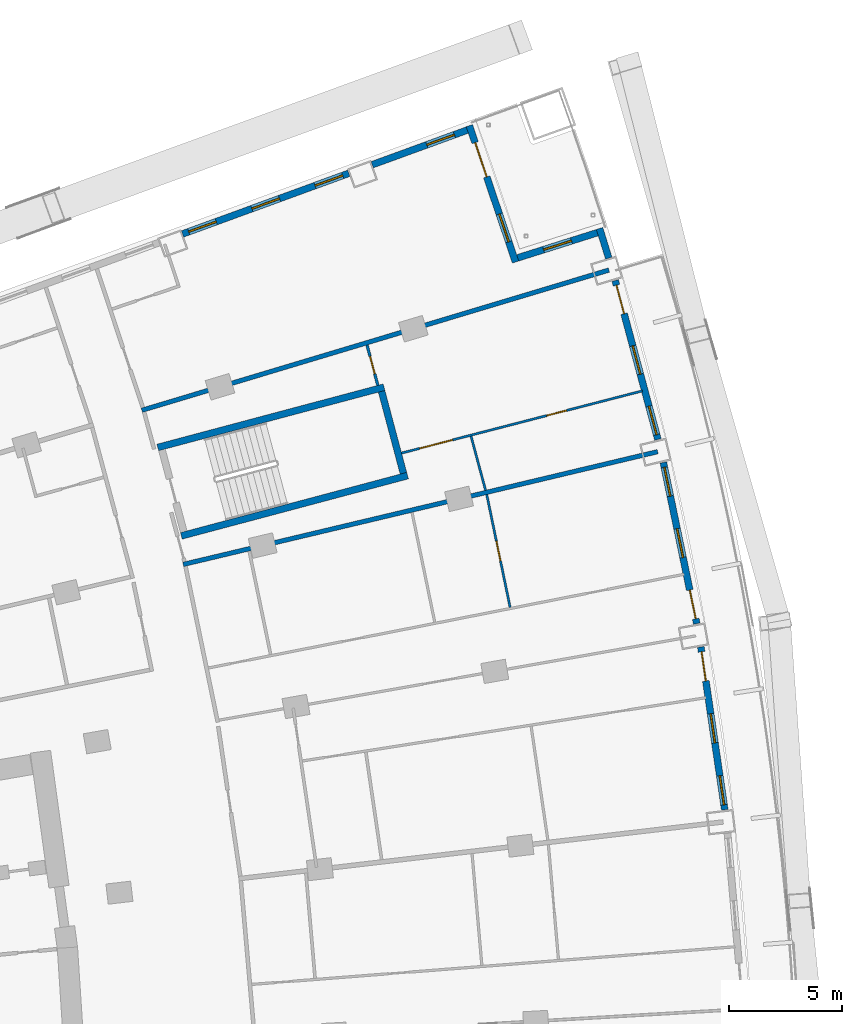
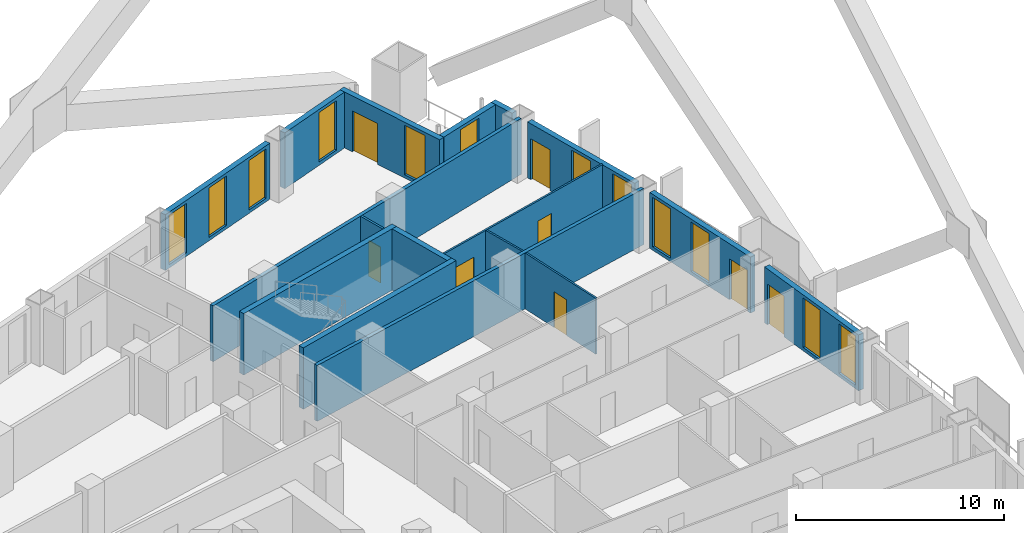
# One storey, part 19 of 23: 17 walls, 12 windows, 8 doors, 20 openings.
"""IFC4 building model written with IfcOpenShell, lengths in metres."""

from ifc_helpers import new_model, si_unit, direction, frame, frame_2d, origin, place, context, subcontext, project, spatial, rectangle, extrude, material, layer, layer_set, type_object, element, fill, save


model = new_model("IFC4")

# Units and contexts
model_context = context("Model", 3, precision=1e-05, world=origin(), true_north=direction((0.0, 1.0)))
body_context = subcontext(model_context, "Body", "Model", "MODEL_VIEW")
ifc_project = project(units=[si_unit("LENGTHUNIT", "METRE"), si_unit("AREAUNIT", "SQUARE_METRE"), si_unit("VOLUMEUNIT", "CUBIC_METRE"), si_unit("PLANEANGLEUNIT", "RADIAN"), si_unit("MASSUNIT", "GRAM", prefix="KILO")], contexts=[model_context])

# Site, building, storey
site_placement = place(None, origin())
site = spatial("IfcSite", under=ifc_project, at=site_placement, CompositionType="ELEMENT")
building_placement = place(site_placement, origin())
building = spatial("IfcBuilding", under=site, at=building_placement, Name="Alderwake Tower", CompositionType="ELEMENT")
storey_placement = place(building_placement, frame((0.0, 0.0, 53.60009765625)))
storey = spatial("IfcBuildingStorey", under=building, at=storey_placement, Name="L12", CompositionType="ELEMENT", Elevation=53.60009765625)

# Walls
ifc_material_1 = material(Name="Concrete C70/85", Category="concrete")
ifc_layer_1 = layer(ifc_material_1, 0.300048828125)
ifc_layer_set_1 = layer_set([ifc_layer_1], Name="Core wall stair enclosure 300 C70-85")
wall_type_1 = type_object("IfcWallType", Name="Core wall stair enclosure 300 C70-85", PredefinedType="SHEAR", material=ifc_layer_set_1)
for number, where, z_axis, x_axis, name in (
    (1, (36.71142578125, 94.182373046875, 0.0), (0.0, 0.0, 1.0), (0.966309214305, 0.257383958996, 0.0), "Core wall CW.082"),
    (2, (37.75390625, 90.268798828125, 0.0), (0.0, 0.0, 1.0), (0.966309214305, 0.257383958996, 0.0), "Core wall CW.084"),
):
    element("IfcWall", number, at=place(storey_placement, frame(where, z_axis=z_axis, x_axis=x_axis)), inside=storey, type_object=wall_type_1, Name=name, PredefinedType="SHEAR", context=body_context, shape_type="SweptSolid", body=[
        extrude(rectangle(XDim=10.360107421875, YDim=0.300048828125, at=frame_2d((5.18017578125, 0.0))), origin(), (0.0, 0.0, 1.0), 3.599853515625),
    ])
wall_1_placement = place(storey_placement, frame((47.581298828125, 93.041748046875, 0.0), z_axis=(0.0, 0.0, 1.0), x_axis=(-0.257366821694, 0.966313778796, 0.0)))
element("IfcWall", 3, at=wall_1_placement, inside=storey, type_object=wall_type_1, Name="Core wall CW.081", PredefinedType="SHEAR", context=body_context, shape_type="SweptSolid", body=[
    extrude(rectangle(XDim=3.749755859375, YDim=0.300048828125, at=frame_2d((1.875, 0.0))), origin(), (0.0, 0.0, 1.0), 3.599853515625),
])

# Wall, openings, door, windows
ifc_material_2 = material(Name="Precast concrete C50/60 spandrel panel", Category="concrete")
ifc_layer_2 = layer(ifc_material_2, 0.300048828125)
ifc_layer_set_2 = layer_set([ifc_layer_2], Name="External wall EW1 Precast concrete C50/60 spandrel")
wall_type_2 = type_object("IfcWallType", Name="External wall EW1 Precast concrete C50/60 spandrel", PredefinedType="SOLIDWALL", material=ifc_layer_set_2)
wall_2_placement = place(storey_placement, frame((61.802734375, 78.147216796875, 0.0), z_axis=(0.0, 0.0, 1.0), x_axis=(-0.14532991295, 0.989383250516, 0.0)))
wall_2 = element("IfcWall", 4, at=wall_2_placement, inside=storey, type_object=wall_type_2, Name="External wall 19", PredefinedType="SOLIDWALL", context=body_context, shape_type="SweptSolid", body=[
    extrude(rectangle(XDim=7.282470703125, YDim=0.300048828125, at=frame_2d((3.64111328125, 0.0))), origin(), (0.0, 0.0, 1.0), 3.27978515625),
])
opening_1_placement = place(wall_2_placement, frame((0.218994140625, 0.0, 0.199951171875)))
opening_1 = element("IfcOpeningElement", 5, at=opening_1_placement, cuts=wall_2, Name="Opening W1", PredefinedType="OPENING", context=body_context, shape_type="SweptSolid", body=[
    extrude(rectangle(XDim=1.300048828125, YDim=2.89990234375, at=frame_2d((0.64990234375, 1.449951171875))), frame((0.0, 0.159912109375, 0.0), z_axis=(0.0, -1.0, 0.0), x_axis=(1.0, 0.0, 0.0)), (0.0, 0.0, 1.0), 0.320068359375),
])
opening_2_placement = place(wall_2_placement, frame((2.9912109375, 0.0, 0.199951171875)))
opening_2 = element("IfcOpeningElement", 6, at=opening_2_placement, cuts=wall_2, Name="Opening W1", PredefinedType="OPENING", context=body_context, shape_type="SweptSolid", body=[
    extrude(rectangle(XDim=1.300048828125, YDim=2.89990234375, at=frame_2d((0.64990234375, 1.449951171875))), frame((0.0, 0.159912109375, 0.0), z_axis=(0.0, -1.0, 0.0), x_axis=(1.0, 0.0, 0.0)), (0.0, 0.0, 1.0), 0.320068359375),
])
opening_3_placement = place(wall_2_placement, frame((5.763671875, 0.0, 0.0)))
opening_3 = element("IfcOpeningElement", 7, at=opening_3_placement, cuts=wall_2, Name="Opening D09", PredefinedType="OPENING", context=body_context, shape_type="SweptSolid", body=[
    extrude(rectangle(XDim=1.300048828125, YDim=2.39990234375, at=frame_2d((0.64990234375, 1.199951171875))), frame((0.0, 0.159912109375, 0.0), z_axis=(0.0, -1.0, 0.0), x_axis=(1.0, 0.0, 0.0)), (0.0, 0.0, 1.0), 0.320068359375),
])
ifc_material_3 = material(Name="Bronze tinted glass in aluminium frame", Category="aluminium")
door_type_1 = type_object("IfcDoorType", Name="Balcony door BD sliding", OperationType="SLIDING_TO_LEFT", PredefinedType="DOOR", material=ifc_material_3)
door_1_placement = place(opening_3_placement, origin())
door_1 = element("IfcDoor", 8, at=door_1_placement, inside=storey, type_object=door_type_1, Name="Door D09", OperationType="SLIDING_TO_LEFT", OverallHeight=2.39990234375, OverallWidth=1.300048828125, PredefinedType="DOOR", context=body_context, shape_type="SweptSolid", body=[
    extrude(rectangle(XDim=1.300048828125, YDim=2.39990234375, at=frame_2d((0.64990234375, 1.199951171875))), frame((0.0, 0.02490234375, 0.0), z_axis=(0.0, -1.0, 0.0), x_axis=(1.0, 0.0, 0.0)), (0.0, 0.0, 1.0), 0.050048828125),
])
fill(opening_3, door_1)
ifc_material_4 = material(Name="Bronze tinted glass in aluminium frame", Category="aluminium")
window_type = type_object("IfcWindowType", Name="Window W1 tall fixed and vent", PartitioningType="DOUBLE_PANEL_VERTICAL", PredefinedType="WINDOW", material=ifc_material_4)
window_1_placement = place(opening_1_placement, origin())
window_1 = element("IfcWindow", 9, at=window_1_placement, inside=storey, type_object=window_type, Name="Window W1 tall fixed and vent", OverallHeight=2.89990234375, OverallWidth=1.300048828125, PartitioningType="DOUBLE_PANEL_VERTICAL", PredefinedType="WINDOW", context=body_context, shape_type="SweptSolid", body=[
    extrude(rectangle(XDim=1.300048828125, YDim=2.89990234375, at=frame_2d((0.64990234375, 1.449951171875))), frame((0.0, 0.030029296875, 0.0), z_axis=(0.0, -1.0, 0.0), x_axis=(1.0, 0.0, 0.0)), (0.0, 0.0, 1.0), 0.06005859375),
])
fill(opening_1, window_1)
window_2_placement = place(opening_2_placement, origin())
window_2 = element("IfcWindow", 10, at=window_2_placement, inside=storey, type_object=window_type, Name="Window W1 tall fixed and vent", OverallHeight=2.89990234375, OverallWidth=1.300048828125, PartitioningType="DOUBLE_PANEL_VERTICAL", PredefinedType="WINDOW", context=body_context, shape_type="SweptSolid", body=[
    extrude(rectangle(XDim=1.300048828125, YDim=2.89990234375, at=frame_2d((0.64990234375, 1.449951171875))), frame((0.0, 0.030029296875, 0.0), z_axis=(0.0, -1.0, 0.0), x_axis=(1.0, 0.0, 0.0)), (0.0, 0.0, 1.0), 0.06005859375),
])
fill(opening_2, window_2)

wall_3_placement = place(storey_placement, frame((60.561767578125, 86.385009765625, 0.0), z_axis=(0.0, 0.0, 1.0), x_axis=(-0.202751929138, 0.979230133948, 0.0)))
wall_3 = element("IfcWall", 11, at=wall_3_placement, inside=storey, type_object=wall_type_2, Name="External wall 20", PredefinedType="SOLIDWALL", context=body_context, shape_type="SweptSolid", body=[
    extrude(rectangle(XDim=7.28271484375, YDim=0.300048828125, at=frame_2d((3.641357421875, 0.0))), origin(), (0.0, 0.0, 1.0), 3.27978515625),
])
opening_4_placement = place(wall_3_placement, frame((0.218994140625, 0.0, 0.0)))
opening_4 = element("IfcOpeningElement", 12, at=opening_4_placement, cuts=wall_3, Name="Opening D10", PredefinedType="OPENING", context=body_context, shape_type="SweptSolid", body=[
    extrude(rectangle(XDim=1.300048828125, YDim=2.39990234375, at=frame_2d((0.64990234375, 1.199951171875))), frame((0.0, 0.159912109375, 0.0), z_axis=(0.0, -1.0, 0.0), x_axis=(1.0, 0.0, 0.0)), (0.0, 0.0, 1.0), 0.320068359375),
])
opening_5_placement = place(wall_3_placement, frame((2.9912109375, 0.0, 0.199951171875)))
opening_5 = element("IfcOpeningElement", 13, at=opening_5_placement, cuts=wall_3, Name="Opening W1", PredefinedType="OPENING", context=body_context, shape_type="SweptSolid", body=[
    extrude(rectangle(XDim=1.300048828125, YDim=2.89990234375, at=frame_2d((0.64990234375, 1.449951171875))), frame((0.0, 0.159912109375, 0.0), z_axis=(0.0, -1.0, 0.0), x_axis=(1.0, 0.0, 0.0)), (0.0, 0.0, 1.0), 0.320068359375),
])
opening_6_placement = place(wall_3_placement, frame((5.763671875, 0.0, 0.199951171875)))
opening_6 = element("IfcOpeningElement", 14, at=opening_6_placement, cuts=wall_3, Name="Opening W1", PredefinedType="OPENING", context=body_context, shape_type="SweptSolid", body=[
    extrude(rectangle(XDim=1.300048828125, YDim=2.89990234375, at=frame_2d((0.64990234375, 1.449951171875))), frame((0.0, 0.159912109375, 0.0), z_axis=(0.0, -1.0, 0.0), x_axis=(1.0, 0.0, 0.0)), (0.0, 0.0, 1.0), 0.320068359375),
])
door_2_placement = place(opening_4_placement, origin())
door_2 = element("IfcDoor", 15, at=door_2_placement, inside=storey, type_object=door_type_1, Name="Door D10", OperationType="SLIDING_TO_LEFT", OverallHeight=2.39990234375, OverallWidth=1.300048828125, PredefinedType="DOOR", context=body_context, shape_type="SweptSolid", body=[
    extrude(rectangle(XDim=1.300048828125, YDim=2.39990234375, at=frame_2d((0.64990234375, 1.199951171875))), frame((0.0, 0.02490234375, 0.0), z_axis=(0.0, -1.0, 0.0), x_axis=(1.0, 0.0, 0.0)), (0.0, 0.0, 1.0), 0.050048828125),
])
fill(opening_4, door_2)
window_3_placement = place(opening_5_placement, origin())
window_3 = element("IfcWindow", 16, at=window_3_placement, inside=storey, type_object=window_type, Name="Window W1 tall fixed and vent", OverallHeight=2.89990234375, OverallWidth=1.300048828125, PartitioningType="DOUBLE_PANEL_VERTICAL", PredefinedType="WINDOW", context=body_context, shape_type="SweptSolid", body=[
    extrude(rectangle(XDim=1.300048828125, YDim=2.89990234375, at=frame_2d((0.64990234375, 1.449951171875))), frame((0.0, 0.030029296875, 0.0), z_axis=(0.0, -1.0, 0.0), x_axis=(1.0, 0.0, 0.0)), (0.0, 0.0, 1.0), 0.06005859375),
])
fill(opening_5, window_3)
window_4_placement = place(opening_6_placement, origin())
window_4 = element("IfcWindow", 17, at=window_4_placement, inside=storey, type_object=window_type, Name="Window W1 tall fixed and vent", OverallHeight=2.89990234375, OverallWidth=1.300048828125, PartitioningType="DOUBLE_PANEL_VERTICAL", PredefinedType="WINDOW", context=body_context, shape_type="SweptSolid", body=[
    extrude(rectangle(XDim=1.300048828125, YDim=2.89990234375, at=frame_2d((0.64990234375, 1.449951171875))), frame((0.0, 0.030029296875, 0.0), z_axis=(0.0, -1.0, 0.0), x_axis=(1.0, 0.0, 0.0)), (0.0, 0.0, 1.0), 0.06005859375),
])
fill(opening_6, window_4)

wall_4_placement = place(storey_placement, frame((58.8427734375, 94.53662109375, 0.0), z_axis=(0.0, 0.0, 1.0), x_axis=(-0.259504577704, 0.9657418776, 0.0)))
wall_4 = element("IfcWall", 18, at=wall_4_placement, inside=storey, type_object=wall_type_2, Name="External wall 21", PredefinedType="SOLIDWALL", context=body_context, shape_type="SweptSolid", body=[
    extrude(rectangle(XDim=7.28271484375, YDim=0.300048828125, at=frame_2d((3.641357421875, 0.0))), origin(), (0.0, 0.0, 1.0), 3.27978515625),
])
opening_7_placement = place(wall_4_placement, frame((0.218994140625, 0.0, 0.199951171875)))
opening_7 = element("IfcOpeningElement", 19, at=opening_7_placement, cuts=wall_4, Name="Opening W1", PredefinedType="OPENING", context=body_context, shape_type="SweptSolid", body=[
    extrude(rectangle(XDim=1.300048828125, YDim=2.89990234375, at=frame_2d((0.64990234375, 1.449951171875))), frame((0.0, 0.159912109375, 0.0), z_axis=(0.0, -1.0, 0.0), x_axis=(1.0, 0.0, 0.0)), (0.0, 0.0, 1.0), 0.320068359375),
])
opening_8_placement = place(wall_4_placement, frame((2.9912109375, 0.0, 0.199951171875)))
opening_8 = element("IfcOpeningElement", 20, at=opening_8_placement, cuts=wall_4, Name="Opening W1", PredefinedType="OPENING", context=body_context, shape_type="SweptSolid", body=[
    extrude(rectangle(XDim=1.300048828125, YDim=2.89990234375, at=frame_2d((0.64990234375, 1.449951171875))), frame((0.0, 0.159912109375, 0.0), z_axis=(0.0, -1.0, 0.0), x_axis=(1.0, 0.0, 0.0)), (0.0, 0.0, 1.0), 0.320068359375),
])
opening_9_placement = place(wall_4_placement, frame((5.763671875, 0.0, 0.0)))
opening_9 = element("IfcOpeningElement", 21, at=opening_9_placement, cuts=wall_4, Name="Opening D11", PredefinedType="OPENING", context=body_context, shape_type="SweptSolid", body=[
    extrude(rectangle(XDim=1.300048828125, YDim=2.39990234375, at=frame_2d((0.64990234375, 1.199951171875))), frame((0.0, 0.159912109375, 0.0), z_axis=(0.0, -1.0, 0.0), x_axis=(1.0, 0.0, 0.0)), (0.0, 0.0, 1.0), 0.320068359375),
])
door_3_placement = place(opening_9_placement, origin())
door_3 = element("IfcDoor", 22, at=door_3_placement, inside=storey, type_object=door_type_1, Name="Door D11", OperationType="SLIDING_TO_LEFT", OverallHeight=2.39990234375, OverallWidth=1.300048828125, PredefinedType="DOOR", context=body_context, shape_type="SweptSolid", body=[
    extrude(rectangle(XDim=1.300048828125, YDim=2.39990234375, at=frame_2d((0.64990234375, 1.199951171875))), frame((0.0, 0.02490234375, 0.0), z_axis=(0.0, -1.0, 0.0), x_axis=(1.0, 0.0, 0.0)), (0.0, 0.0, 1.0), 0.050048828125),
])
fill(opening_9, door_3)
window_5_placement = place(opening_7_placement, origin())
window_5 = element("IfcWindow", 23, at=window_5_placement, inside=storey, type_object=window_type, Name="Window W1 tall fixed and vent", OverallHeight=2.89990234375, OverallWidth=1.300048828125, PartitioningType="DOUBLE_PANEL_VERTICAL", PredefinedType="WINDOW", context=body_context, shape_type="SweptSolid", body=[
    extrude(rectangle(XDim=1.300048828125, YDim=2.89990234375, at=frame_2d((0.64990234375, 1.449951171875))), frame((0.0, 0.030029296875, 0.0), z_axis=(0.0, -1.0, 0.0), x_axis=(1.0, 0.0, 0.0)), (0.0, 0.0, 1.0), 0.06005859375),
])
fill(opening_7, window_5)
window_6_placement = place(opening_8_placement, origin())
window_6 = element("IfcWindow", 24, at=window_6_placement, inside=storey, type_object=window_type, Name="Window W1 tall fixed and vent", OverallHeight=2.89990234375, OverallWidth=1.300048828125, PartitioningType="DOUBLE_PANEL_VERTICAL", PredefinedType="WINDOW", context=body_context, shape_type="SweptSolid", body=[
    extrude(rectangle(XDim=1.300048828125, YDim=2.89990234375, at=frame_2d((0.64990234375, 1.449951171875))), frame((0.0, 0.030029296875, 0.0), z_axis=(0.0, -1.0, 0.0), x_axis=(1.0, 0.0, 0.0)), (0.0, 0.0, 1.0), 0.06005859375),
])
fill(opening_8, window_6)

# Wall
wall_5_placement = place(storey_placement, frame((56.667724609375, 102.56005859375, 0.0), z_axis=(0.0, 0.0, 1.0), x_axis=(-0.294496968281, 0.955652413628, 0.0)))
element("IfcWall", 25, at=wall_5_placement, inside=storey, type_object=wall_type_2, Name="External wall 22", PredefinedType="SOLIDWALL", context=body_context, shape_type="SweptSolid", body=[
    extrude(rectangle(XDim=1.376953125, YDim=0.300048828125, at=frame_2d((0.6884765625, 0.0))), origin(), (0.0, 0.0, 1.0), 3.27978515625),
])

# Wall, opening, window
ifc_material_5 = material(Name="Bronze metal cladding on lightweight framing")
ifc_layer_3 = layer(ifc_material_5, 0.300048828125)
ifc_layer_set_3 = layer_set([ifc_layer_3], Name="External wall EW2 bronze metal cladding")
wall_type_3 = type_object("IfcWallType", Name="External wall EW2 bronze metal cladding", PredefinedType="SOLIDWALL", material=ifc_layer_set_3)
wall_6_placement = place(storey_placement, frame((56.163330078125, 103.6875, 0.0), z_axis=(0.0, 0.0, 1.0), x_axis=(-0.953466730622, -0.301498248083, 0.0)))
wall_6 = element("IfcWall", 26, at=wall_6_placement, inside=storey, type_object=wall_type_3, Name="External wall 23", PredefinedType="SOLIDWALL", context=body_context, shape_type="SweptSolid", body=[
    extrude(rectangle(XDim=3.694091796875, YDim=0.300048828125, at=frame_2d((1.84716796875, 0.0))), origin(), (0.0, 0.0, 1.0), 3.27978515625),
])
opening_10_placement = place(wall_6_placement, frame((1.197021484375, 0.0, 0.199951171875)))
opening_10 = element("IfcOpeningElement", 27, at=opening_10_placement, cuts=wall_6, Name="Opening W1", PredefinedType="OPENING", context=body_context, shape_type="SweptSolid", body=[
    extrude(rectangle(XDim=1.300048828125, YDim=2.89990234375, at=frame_2d((0.64990234375, 1.449951171875))), frame((0.0, 0.159912109375, 0.0), z_axis=(0.0, -1.0, 0.0), x_axis=(1.0, 0.0, 0.0)), (0.0, 0.0, 1.0), 0.320068359375),
])
window_7_placement = place(opening_10_placement, origin())
window_7 = element("IfcWindow", 28, at=window_7_placement, inside=storey, type_object=window_type, Name="Window W1 tall fixed and vent", OverallHeight=2.89990234375, OverallWidth=1.300048828125, PartitioningType="DOUBLE_PANEL_VERTICAL", PredefinedType="WINDOW", context=body_context, shape_type="SweptSolid", body=[
    extrude(rectangle(XDim=1.300048828125, YDim=2.89990234375, at=frame_2d((0.64990234375, 1.449951171875))), frame((0.0, 0.030029296875, 0.0), z_axis=(0.0, -1.0, 0.0), x_axis=(1.0, 0.0, 0.0)), (0.0, 0.0, 1.0), 0.06005859375),
])
fill(opening_10, window_7)

# Wall, openings, door, window
wall_7_placement = place(storey_placement, frame((52.546142578125, 102.386474609375, 0.0), z_axis=(0.0, 0.0, 1.0), x_axis=(-0.320935050744, 0.947101205365, 0.0)))
wall_7 = element("IfcWall", 29, at=wall_7_placement, inside=storey, type_object=wall_type_3, Name="External wall 24", PredefinedType="SOLIDWALL", context=body_context, shape_type="SweptSolid", body=[
    extrude(rectangle(XDim=6.3740234375, YDim=0.300048828125, at=frame_2d((3.18701171875, 0.0))), origin(), (0.0, 0.0, 1.0), 3.27978515625),
])
opening_11_placement = place(wall_7_placement, frame((0.943603515625, 0.0, 0.199951171875)))
opening_11 = element("IfcOpeningElement", 30, at=opening_11_placement, cuts=wall_7, Name="Opening W1", PredefinedType="OPENING", context=body_context, shape_type="SweptSolid", body=[
    extrude(rectangle(XDim=1.300048828125, YDim=2.89990234375, at=frame_2d((0.64990234375, 1.449951171875))), frame((0.0, 0.159912109375, 0.0), z_axis=(0.0, -1.0, 0.0), x_axis=(1.0, 0.0, 0.0)), (0.0, 0.0, 1.0), 0.320068359375),
])
opening_12_placement = place(wall_7_placement, frame((3.980712890625, 0.0, 0.0)))
opening_12 = element("IfcOpeningElement", 31, at=opening_12_placement, cuts=wall_7, Name="Opening D12", PredefinedType="OPENING", context=body_context, shape_type="SweptSolid", body=[
    extrude(rectangle(XDim=1.60009765625, YDim=2.39990234375, at=frame_2d((0.800048828125, 1.199951171875))), frame((0.0, 0.159912109375, 0.0), z_axis=(0.0, -1.0, 0.0), x_axis=(1.0, 0.0, 0.0)), (0.0, 0.0, 1.0), 0.320068359375),
])
ifc_material_6 = material(Name="Bronze tinted glass in aluminium frame", Category="aluminium")
door_type_2 = type_object("IfcDoorType", Name="Terrace door TD sliding", OperationType="SLIDING_TO_LEFT", PredefinedType="DOOR", material=ifc_material_6)
door_4_placement = place(opening_12_placement, origin())
door_4 = element("IfcDoor", 32, at=door_4_placement, inside=storey, type_object=door_type_2, Name="Door D12", OperationType="SLIDING_TO_LEFT", OverallHeight=2.39990234375, OverallWidth=1.60009765625, PredefinedType="DOOR", context=body_context, shape_type="SweptSolid", body=[
    extrude(rectangle(XDim=1.60009765625, YDim=2.39990234375, at=frame_2d((0.800048828125, 1.199951171875))), frame((0.0, 0.02490234375, 0.0), z_axis=(0.0, -1.0, 0.0), x_axis=(1.0, 0.0, 0.0)), (0.0, 0.0, 1.0), 0.050048828125),
])
fill(opening_12, door_4)
window_8_placement = place(opening_11_placement, origin())
window_8 = element("IfcWindow", 33, at=window_8_placement, inside=storey, type_object=window_type, Name="Window W1 tall fixed and vent", OverallHeight=2.89990234375, OverallWidth=1.300048828125, PartitioningType="DOUBLE_PANEL_VERTICAL", PredefinedType="WINDOW", context=body_context, shape_type="SweptSolid", body=[
    extrude(rectangle(XDim=1.300048828125, YDim=2.89990234375, at=frame_2d((0.64990234375, 1.449951171875))), frame((0.0, 0.030029296875, 0.0), z_axis=(0.0, -1.0, 0.0), x_axis=(1.0, 0.0, 0.0)), (0.0, 0.0, 1.0), 0.06005859375),
])
fill(opening_11, window_8)

# Wall, opening, window
wall_8_placement = place(storey_placement, frame((50.407958984375, 108.22998046875, 0.0), z_axis=(0.0, 0.0, 1.0), x_axis=(-0.939377384623, -0.3428850088, 0.0)))
wall_8 = element("IfcWall", 34, at=wall_8_placement, inside=storey, type_object=wall_type_3, Name="External wall 25", PredefinedType="SOLIDWALL", context=body_context, shape_type="SweptSolid", body=[
    extrude(rectangle(XDim=4.479248046875, YDim=0.300048828125, at=frame_2d((2.23974609375, 0.0))), origin(), (0.0, 0.0, 1.0), 3.27978515625),
])
opening_13_placement = place(wall_8_placement, frame((0.60791015625, 0.0, 0.199951171875)))
opening_13 = element("IfcOpeningElement", 35, at=opening_13_placement, cuts=wall_8, Name="Opening W1", PredefinedType="OPENING", context=body_context, shape_type="SweptSolid", body=[
    extrude(rectangle(XDim=1.300048828125, YDim=2.89990234375, at=frame_2d((0.64990234375, 1.449951171875))), frame((0.0, 0.159912109375, 0.0), z_axis=(0.0, -1.0, 0.0), x_axis=(1.0, 0.0, 0.0)), (0.0, 0.0, 1.0), 0.320068359375),
])
window_9_placement = place(opening_13_placement, origin())
window_9 = element("IfcWindow", 36, at=window_9_placement, inside=storey, type_object=window_type, Name="Window W1 tall fixed and vent", OverallHeight=2.89990234375, OverallWidth=1.300048828125, PartitioningType="DOUBLE_PANEL_VERTICAL", PredefinedType="WINDOW", context=body_context, shape_type="SweptSolid", body=[
    extrude(rectangle(XDim=1.300048828125, YDim=2.89990234375, at=frame_2d((0.64990234375, 1.449951171875))), frame((0.0, 0.030029296875, 0.0), z_axis=(0.0, -1.0, 0.0), x_axis=(1.0, 0.0, 0.0)), (0.0, 0.0, 1.0), 0.06005859375),
])
fill(opening_13, window_9)

# Wall, openings, windows
wall_9_placement = place(storey_placement, frame((45.1630859375, 106.3154296875, 0.0), z_axis=(0.0, 0.0, 1.0), x_axis=(-0.939377568192, -0.342884505887, 0.0)))
wall_9 = element("IfcWall", 37, at=wall_9_placement, inside=storey, type_object=wall_type_3, Name="External wall 26", PredefinedType="SOLIDWALL", context=body_context, shape_type="SweptSolid", body=[
    extrude(rectangle(XDim=7.829345703125, YDim=0.300048828125, at=frame_2d((3.91455078125, 0.0))), origin(), (0.0, 0.0, 1.0), 3.27978515625),
])
opening_14_placement = place(wall_9_placement, frame((0.286865234375, 0.0, 0.199951171875)))
opening_14 = element("IfcOpeningElement", 38, at=opening_14_placement, cuts=wall_9, Name="Opening W1", PredefinedType="OPENING", context=body_context, shape_type="SweptSolid", body=[
    extrude(rectangle(XDim=1.300048828125, YDim=2.89990234375, at=frame_2d((0.64990234375, 1.449951171875))), frame((0.0, 0.159912109375, 0.0), z_axis=(0.0, -1.0, 0.0), x_axis=(1.0, 0.0, 0.0)), (0.0, 0.0, 1.0), 0.320068359375),
])
opening_15_placement = place(wall_9_placement, frame((3.2646484375, 0.0, 0.199951171875)))
opening_15 = element("IfcOpeningElement", 39, at=opening_15_placement, cuts=wall_9, Name="Opening W1", PredefinedType="OPENING", context=body_context, shape_type="SweptSolid", body=[
    extrude(rectangle(XDim=1.300048828125, YDim=2.89990234375, at=frame_2d((0.64990234375, 1.449951171875))), frame((0.0, 0.159912109375, 0.0), z_axis=(0.0, -1.0, 0.0), x_axis=(1.0, 0.0, 0.0)), (0.0, 0.0, 1.0), 0.320068359375),
])
opening_16_placement = place(wall_9_placement, frame((6.24267578125, 0.0, 0.199951171875)))
opening_16 = element("IfcOpeningElement", 40, at=opening_16_placement, cuts=wall_9, Name="Opening W1", PredefinedType="OPENING", context=body_context, shape_type="SweptSolid", body=[
    extrude(rectangle(XDim=1.300048828125, YDim=2.89990234375, at=frame_2d((0.64990234375, 1.449951171875))), frame((0.0, 0.159912109375, 0.0), z_axis=(0.0, -1.0, 0.0), x_axis=(1.0, 0.0, 0.0)), (0.0, 0.0, 1.0), 0.320068359375),
])
window_10_placement = place(opening_14_placement, origin())
window_10 = element("IfcWindow", 41, at=window_10_placement, inside=storey, type_object=window_type, Name="Window W1 tall fixed and vent", OverallHeight=2.89990234375, OverallWidth=1.300048828125, PartitioningType="DOUBLE_PANEL_VERTICAL", PredefinedType="WINDOW", context=body_context, shape_type="SweptSolid", body=[
    extrude(rectangle(XDim=1.300048828125, YDim=2.89990234375, at=frame_2d((0.64990234375, 1.449951171875))), frame((0.0, 0.030029296875, 0.0), z_axis=(0.0, -1.0, 0.0), x_axis=(1.0, 0.0, 0.0)), (0.0, 0.0, 1.0), 0.06005859375),
])
fill(opening_14, window_10)
window_11_placement = place(opening_15_placement, origin())
window_11 = element("IfcWindow", 42, at=window_11_placement, inside=storey, type_object=window_type, Name="Window W1 tall fixed and vent", OverallHeight=2.89990234375, OverallWidth=1.300048828125, PartitioningType="DOUBLE_PANEL_VERTICAL", PredefinedType="WINDOW", context=body_context, shape_type="SweptSolid", body=[
    extrude(rectangle(XDim=1.300048828125, YDim=2.89990234375, at=frame_2d((0.64990234375, 1.449951171875))), frame((0.0, 0.030029296875, 0.0), z_axis=(0.0, -1.0, 0.0), x_axis=(1.0, 0.0, 0.0)), (0.0, 0.0, 1.0), 0.06005859375),
])
fill(opening_15, window_11)
window_12_placement = place(opening_16_placement, origin())
window_12 = element("IfcWindow", 43, at=window_12_placement, inside=storey, type_object=window_type, Name="Window W1 tall fixed and vent", OverallHeight=2.89990234375, OverallWidth=1.300048828125, PartitioningType="DOUBLE_PANEL_VERTICAL", PredefinedType="WINDOW", context=body_context, shape_type="SweptSolid", body=[
    extrude(rectangle(XDim=1.300048828125, YDim=2.89990234375, at=frame_2d((0.64990234375, 1.449951171875))), frame((0.0, 0.030029296875, 0.0), z_axis=(0.0, -1.0, 0.0), x_axis=(1.0, 0.0, 0.0)), (0.0, 0.0, 1.0), 0.06005859375),
])
fill(opening_16, window_12)

# Walls
ifc_material_7 = material(Name="Dense block masonry wall", Category="masonry")
ifc_layer_4 = layer(ifc_material_7, 0.199951171875)
ifc_layer_set_4 = layer_set([ifc_layer_4], Name="Party wall 200")
wall_type_4 = type_object("IfcWallType", Name="Party wall 200", PredefinedType="SOLIDWALL", material=ifc_layer_set_4)
wall_10_placement = place(storey_placement, frame((37.839111328125, 89.006591796875, 0.0), z_axis=(0.0, 0.0, 1.0), x_axis=(0.972900578851, 0.23122383889, 0.0)))
element("IfcWall", 44, at=wall_10_placement, inside=storey, type_object=wall_type_4, Name="WL/L12/W05", PredefinedType="SOLIDWALL", context=body_context, shape_type="SweptSolid", body=[
    extrude(rectangle(XDim=21.57861328125, YDim=0.199951171875, at=frame_2d((10.789306640625, 0.0))), origin(), (0.0, 0.0, 1.0), 3.27978515625),
])
wall_11_placement = place(storey_placement, frame((56.673095703125, 102.032958984375, 0.0), z_axis=(0.0, 0.0, 1.0), x_axis=(-0.957756821729, -0.287579328936, 0.0)))
element("IfcWall", 45, at=wall_11_placement, inside=storey, type_object=wall_type_4, Name="WL/L12/W08", PredefinedType="SOLIDWALL", context=body_context, shape_type="SweptSolid", body=[
    extrude(rectangle(XDim=21.580322265625, YDim=0.199951171875, at=frame_2d((10.7900390625, 0.0))), origin(), (0.0, 0.0, 1.0), 3.27978515625),
])

# Wall, openings, doors
ifc_material_8 = material(Name="Gypsum board on metal studs")
ifc_layer_5 = layer(ifc_material_8, 0.10009765625)
ifc_layer_set_5 = layer_set([ifc_layer_5], Name="Unit partition 100")
wall_type_5 = type_object("IfcWallType", Name="Unit partition 100", PredefinedType="PARTITIONING", material=ifc_layer_set_5)
wall_12_placement = place(storey_placement, frame((47.4990234375, 93.93310546875, 0.0), z_axis=(0.0, 0.0, 1.0), x_axis=(0.968223312378, 0.250087219519, 0.0)))
wall_12 = element("IfcWall", 46, at=wall_12_placement, inside=storey, type_object=wall_type_5, Name="WL/L12/W76", PredefinedType="PARTITIONING", context=body_context, shape_type="SweptSolid", body=[
    extrude(rectangle(XDim=11.01171875, YDim=0.10009765625, at=frame_2d((5.505859375, 0.0))), origin(), (0.0, 0.0, 1.0), 3.27978515625),
])
opening_17_placement = place(wall_12_placement, frame((0.831787109375, 0.0, 0.0)))
opening_17 = element("IfcOpeningElement", 47, at=opening_17_placement, cuts=wall_12, Name="Opening R03-U02.2", PredefinedType="OPENING", context=body_context, shape_type="SweptSolid", body=[
    extrude(rectangle(XDim=1.5, YDim=2.10009765625, at=frame_2d((0.75, 1.050048828125))), frame((0.0, 0.06005859375, 0.0), z_axis=(0.0, -1.0, 0.0), x_axis=(1.0, 0.0, 0.0)), (0.0, 0.0, 1.0), 0.1201171875),
])
opening_18_placement = place(wall_12_placement, frame((6.6376953125, 0.0, 0.0)))
opening_18 = element("IfcOpeningElement", 48, at=opening_18_placement, cuts=wall_12, Name="Opening R03-U02.3", PredefinedType="OPENING", context=body_context, shape_type="SweptSolid", body=[
    extrude(rectangle(XDim=0.89990234375, YDim=2.10009765625, at=frame_2d((0.449951171875, 1.050048828125))), frame((0.0, 0.06005859375, 0.0), z_axis=(0.0, -1.0, 0.0), x_axis=(1.0, 0.0, 0.0)), (0.0, 0.0, 1.0), 0.1201171875),
])
ifc_material_9 = material(Name="Painted timber leaves", Category="wood")
door_type_3 = type_object("IfcDoorType", Name="Double leaf door 1500", OperationType="DOUBLE_DOOR_SINGLE_SWING", PredefinedType="DOOR", material=ifc_material_9)
door_5_placement = place(opening_17_placement, origin())
door_5 = element("IfcDoor", 49, at=door_5_placement, inside=storey, type_object=door_type_3, Name="DR/L12/U02.2", OperationType="DOUBLE_DOOR_SINGLE_SWING", OverallHeight=2.10009765625, OverallWidth=1.5, PredefinedType="DOOR", context=body_context, shape_type="SweptSolid", body=[
    extrude(rectangle(XDim=1.5, YDim=2.10009765625, at=frame_2d((0.75, 1.050048828125))), frame((0.0, 0.02490234375, 0.0), z_axis=(0.0, -1.0, 0.0), x_axis=(1.0, 0.0, 0.0)), (0.0, 0.0, 1.0), 0.050048828125),
])
fill(opening_17, door_5)
ifc_material_10 = material(Name="Painted timber leaf", Category="wood")
door_type_4 = type_object("IfcDoorType", Name="Room door 900", OperationType="SINGLE_SWING_LEFT", PredefinedType="DOOR", material=ifc_material_10)
door_6_placement = place(opening_18_placement, origin())
door_6 = element("IfcDoor", 50, at=door_6_placement, inside=storey, type_object=door_type_4, Name="DR/L12/U02.3", OperationType="SINGLE_SWING_LEFT", OverallHeight=2.10009765625, OverallWidth=0.89990234375, PredefinedType="DOOR", context=body_context, shape_type="SweptSolid", body=[
    extrude(rectangle(XDim=0.89990234375, YDim=2.10009765625, at=frame_2d((0.449951171875, 1.050048828125))), frame((0.0, 0.02490234375, 0.0), z_axis=(0.0, -1.0, 0.0), x_axis=(1.0, 0.0, 0.0)), (0.0, 0.0, 1.0), 0.050048828125),
])
fill(opening_18, door_6)

# Wall
wall_13_placement = place(storey_placement, frame((51.217041015625, 92.28662109375, 0.0), z_axis=(0.0, 0.0, 1.0), x_axis=(-0.259442778972, 0.965758481422, 0.0)))
element("IfcWall", 51, at=wall_13_placement, inside=storey, type_object=wall_type_5, Name="WL/L12/W82", PredefinedType="PARTITIONING", context=body_context, shape_type="SweptSolid", body=[
    extrude(rectangle(XDim=2.474853515625, YDim=0.10009765625, at=frame_2d((1.2373046875, 0.0))), origin(), (0.0, 0.0, 1.0), 3.27978515625),
])

# Wall, opening, door
wall_14_placement = place(storey_placement, frame((52.3037109375, 87.10595703125, 0.0), z_axis=(0.0, 0.0, 1.0), x_axis=(-0.20302230098, 0.979174113886, 0.0)))
wall_14 = element("IfcWall", 52, at=wall_14_placement, inside=storey, type_object=wall_type_5, Name="WL/L12/W84", PredefinedType="PARTITIONING", context=body_context, shape_type="SweptSolid", body=[
    extrude(rectangle(XDim=5.09521484375, YDim=0.10009765625, at=frame_2d((2.547607421875, 0.0))), origin(), (0.0, 0.0, 1.0), 3.27978515625),
])
opening_19_placement = place(wall_14_placement, frame((2.09765625, 0.0, 0.0)))
opening_19 = element("IfcOpeningElement", 53, at=opening_19_placement, cuts=wall_14, Name="Opening R03-U08.9", PredefinedType="OPENING", context=body_context, shape_type="SweptSolid", body=[
    extrude(rectangle(XDim=0.89990234375, YDim=2.10009765625, at=frame_2d((0.449951171875, 1.050048828125))), frame((0.0, 0.06005859375, 0.0), z_axis=(0.0, -1.0, 0.0), x_axis=(1.0, 0.0, 0.0)), (0.0, 0.0, 1.0), 0.1201171875),
])
door_7_placement = place(opening_19_placement, origin())
door_7 = element("IfcDoor", 54, at=door_7_placement, inside=storey, type_object=door_type_4, Name="DR/L12/U08.9", OperationType="SINGLE_SWING_LEFT", OverallHeight=2.10009765625, OverallWidth=0.89990234375, PredefinedType="DOOR", context=body_context, shape_type="SweptSolid", body=[
    extrude(rectangle(XDim=0.89990234375, YDim=2.10009765625, at=frame_2d((0.449951171875, 1.050048828125))), frame((0.0, 0.02490234375, 0.0), z_axis=(0.0, -1.0, 0.0), x_axis=(1.0, 0.0, 0.0)), (0.0, 0.0, 1.0), 0.050048828125),
])
fill(opening_19, door_7)

ifc_material_11 = material(Name="Moisture resistant gypsum board on metal studs")
ifc_layer_6 = layer(ifc_material_11, 0.1201171875)
ifc_layer_set_6 = layer_set([ifc_layer_6], Name="Wet room partition 120")
wall_type_6 = type_object("IfcWallType", Name="Wet room partition 120", PredefinedType="PARTITIONING", material=ifc_layer_set_6)
wall_15_placement = place(storey_placement, frame((46.448974609375, 96.929931640625, 0.0), z_axis=(0.0, 0.0, 1.0), x_axis=(-0.258764710752, 0.965940383497, 0.0)))
wall_15 = element("IfcWall", 55, at=wall_15_placement, inside=storey, type_object=wall_type_6, Name="WL/L12/W59", PredefinedType="PARTITIONING", context=body_context, shape_type="SweptSolid", body=[
    extrude(rectangle(XDim=1.847412109375, YDim=0.1201171875, at=frame_2d((0.923828125, 0.0))), origin(), (0.0, 0.0, 1.0), 3.27978515625),
])
opening_20_placement = place(wall_15_placement, frame((0.524169921875, 0.0, 0.0)))
opening_20 = element("IfcOpeningElement", 56, at=opening_20_placement, cuts=wall_15, Name="Opening R03-U02.4", PredefinedType="OPENING", context=body_context, shape_type="SweptSolid", body=[
    extrude(rectangle(XDim=0.800048828125, YDim=2.10009765625, at=frame_2d((0.39990234375, 1.050048828125))), frame((0.0, 0.070068359375, 0.0), z_axis=(0.0, -1.0, 0.0), x_axis=(1.0, 0.0, 0.0)), (0.0, 0.0, 1.0), 0.14013671875),
])
ifc_material_12 = material(Name="Painted timber leaf", Category="wood")
door_type_5 = type_object("IfcDoorType", Name="Bathroom door 800", OperationType="SINGLE_SWING_LEFT", PredefinedType="DOOR", material=ifc_material_12)
door_8_placement = place(opening_20_placement, origin())
door_8 = element("IfcDoor", 57, at=door_8_placement, inside=storey, type_object=door_type_5, Name="DR/L12/U02.4", OperationType="SINGLE_SWING_LEFT", OverallHeight=2.10009765625, OverallWidth=0.800048828125, PredefinedType="DOOR", context=body_context, shape_type="SweptSolid", body=[
    extrude(rectangle(XDim=0.800048828125, YDim=2.10009765625, at=frame_2d((0.39990234375, 1.050048828125))), frame((0.0, 0.02490234375, 0.0), z_axis=(0.0, -1.0, 0.0), x_axis=(1.0, 0.0, 0.0)), (0.0, 0.0, 1.0), 0.050048828125),
])
fill(opening_20, door_8)

save(model, "model.ifc")
